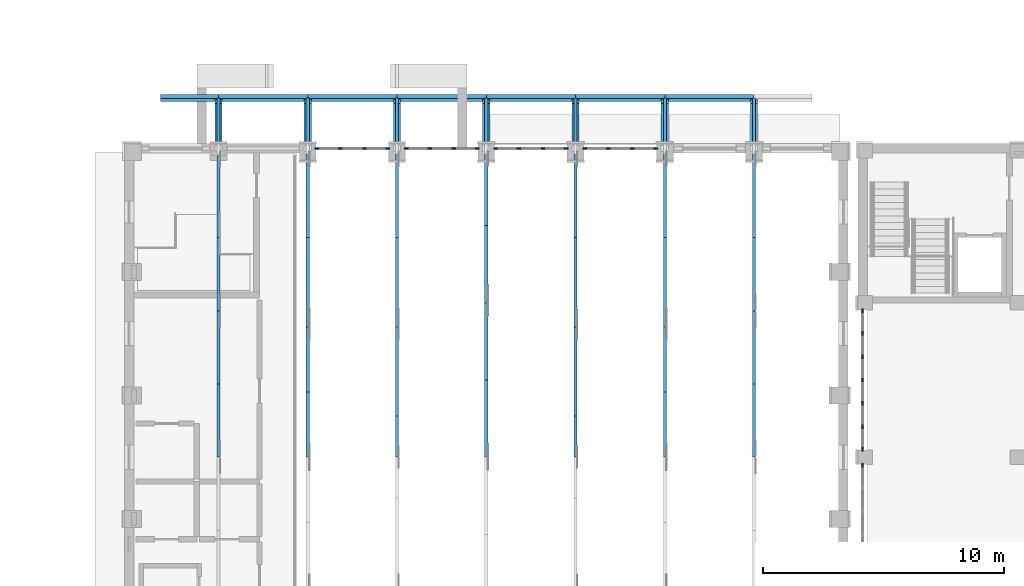
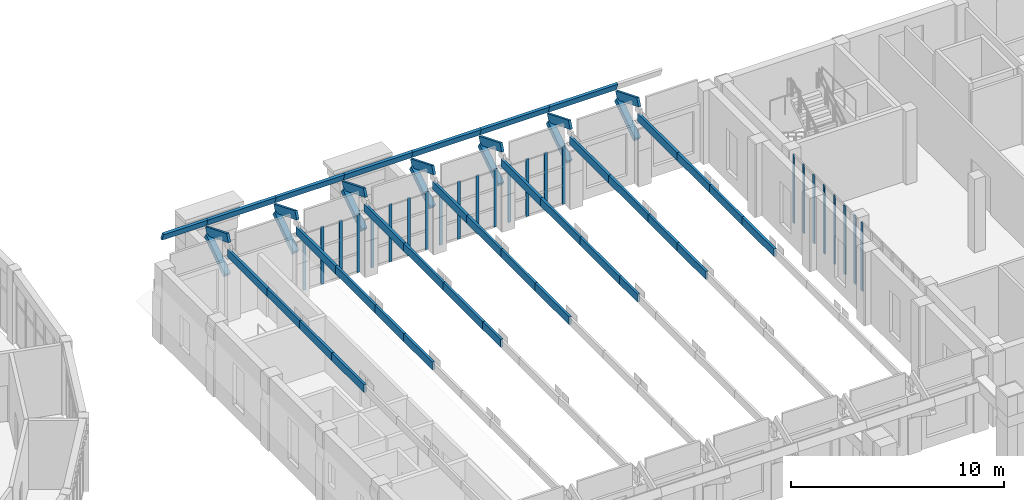
# One storey, part 15 of 99: 73 members, 6 elements without a shape of their own.
"""IFC4 building model written with IfcOpenShell, lengths in metres."""

from ifc_helpers import new_model, si_unit, direction, frame, origin, origin_2d, place, context, subcontext, project, spatial, rectangle, extrude, material, layer, layer_set, material_profile, profile_set, type_object, element, aggregate, save


model = new_model("IFC4")

# Units and contexts
model_context = context("Model", 3, precision=1e-05, world=origin(), true_north=direction((0.0, 1.0)))
body_context = subcontext(model_context, "Body", "Model", "MODEL_VIEW")
ifc_project = project(units=[si_unit("LENGTHUNIT", "METRE"), si_unit("AREAUNIT", "SQUARE_METRE"), si_unit("VOLUMEUNIT", "CUBIC_METRE"), si_unit("PLANEANGLEUNIT", "RADIAN"), si_unit("MASSUNIT", "GRAM", prefix="KILO")], contexts=[model_context])

# Site, building, storey
site_placement = place(None, origin())
site = spatial("IfcSite", under=ifc_project, at=site_placement, CompositionType="ELEMENT")
building_placement = place(site_placement, origin())
building = spatial("IfcBuilding", under=site, at=building_placement, Name="Wasatch Bagh Community Centre", CompositionType="ELEMENT")
storey_placement = place(building_placement, frame((0.0, 0.0, 4.199951171875)))
storey = spatial("IfcBuildingStorey", under=building, at=storey_placement, Name="L01", CompositionType="ELEMENT", Elevation=4.199951171875)

# Members
ifc_material_1 = material(Name="Concrete C35", Category="concrete")
ifc_material_profile_1 = material_profile(ifc_material_1, rectangle(XDim=0.300048828125, YDim=0.300048828125, at=origin_2d()), Name="RC 300x300")
ifc_profile_set_1 = profile_set([ifc_material_profile_1], Name="Concrete C35")
member_type_1 = type_object("IfcMemberType", Name="CH-B1", PredefinedType="MEMBER", material=ifc_profile_set_1)
for number, where, z_axis, x_axis, name in (
    (1, (69.89990234375, 31.949951171875, 2.199951171875), (0.0, 0.830713183923, 0.556700643125), (-1.0, 0.0, 0.0), "CH-B1 eave bracket DH N 69.9"),
    (2, (73.60009765625, 31.949951171875, 2.199951171875), (0.0, 0.830713183923, 0.556700643125), (-1.0, 0.0, 0.0), "CH-B1 eave bracket DH N 73.6"),
    (3, (77.300048828125, 31.949951171875, 2.199951171875), (0.0, 0.830713183923, 0.556700643125), (-1.0, 0.0, 0.0), "CH-B1 eave bracket DH N 77.3"),
    (4, (81.0, 31.949951171875, 2.199951171875), (0.0, 0.830713183923, 0.556700643125), (-1.0, 0.0, 0.0), "CH-B1 eave bracket DH N 81.0"),
    (5, (84.699951171875, 31.949951171875, 2.199951171875), (0.0, 0.830713183923, 0.556700643125), (-1.0, 0.0, 0.0), "CH-B1 eave bracket DH N 84.7"),
    (6, (88.39990234375, 31.949951171875, 2.199951171875), (0.0, 0.830713183923, 0.556700643125), (-1.0, 0.0, 0.0), "CH-B1 eave bracket DH N 88.4"),
    (7, (92.10009765625, 31.949951171875, 2.199951171875), (0.0, 0.830713183923, 0.556700643125), (-1.0, 0.0, 0.0), "CH-B1 eave bracket DH N 92.1"),
):
    element("IfcMember", number, at=place(storey_placement, frame(where, z_axis=z_axis, x_axis=x_axis)), inside=storey, type_object=member_type_1, Name=name, PredefinedType="MEMBER", context=body_context, shape_type="SweptSolid", body=[
        extrude(rectangle(XDim=0.300048828125, YDim=0.300048828125, at=origin_2d()), origin(), (0.0, 0.0, 1.0), 2.1669921875),
    ])
ifc_material_2 = material(Name="Glulam 24F-V4 Douglas fir-larch", Category="wood")
ifc_material_profile_2 = material_profile(ifc_material_2, rectangle(XDim=0.130126953125, YDim=0.457275390625, at=origin_2d()), Name="GL 130x457")
ifc_profile_set_2 = profile_set([ifc_material_profile_2], Name="Glulam 24F-V4 Douglas fir-larch")
member_type_2 = type_object("IfcMemberType", Name="DH GL 130x457 chord", PredefinedType="CHORD", material=ifc_profile_set_2)
member_1_placement = place(storey_placement, frame((69.89990234375, 31.80078125, 4.410400390625), z_axis=(0.0, 0.927166973909, -0.374648371799), x_axis=(-1.0, 0.0, 0.0)))
element("IfcMember", 8, at=member_1_placement, inside=storey, type_object=member_type_2, Name="DH.TH1.TC10", PredefinedType="CHORD", context=body_context, shape_type="SweptSolid", body=[
    extrude(rectangle(XDim=0.130126953125, YDim=0.457275390625, at=origin_2d()), origin(), (0.0, 0.0, 1.0), 2.15625),
])
member_2_placement = place(storey_placement, frame((69.89990234375, 19.0, 3.548583984375), z_axis=(0.0, 1.0, 0.0), x_axis=(-1.0, 0.0, 0.0)))
element("IfcMember", 9, at=member_2_placement, inside=storey, type_object=member_type_2, Name="DH.TH1.BC05", PredefinedType="CHORD", context=body_context, shape_type="SweptSolid", body=[
    extrude(rectangle(XDim=0.130126953125, YDim=0.457275390625, at=origin_2d()), origin(), (0.0, 0.0, 1.0), 3.033447265625),
])
member_3_placement = place(storey_placement, frame((69.89990234375, 22.033447265625, 3.548583984375), z_axis=(0.0, 1.0, 0.0), x_axis=(-1.0, 0.0, 0.0)))
element("IfcMember", 10, at=member_3_placement, inside=storey, type_object=member_type_2, Name="DH.TH1.BC06", PredefinedType="CHORD", context=body_context, shape_type="SweptSolid", body=[
    extrude(rectangle(XDim=0.130126953125, YDim=0.457275390625, at=origin_2d()), origin(), (0.0, 0.0, 1.0), 3.033203125),
])
member_4_placement = place(storey_placement, frame((69.89990234375, 25.066650390625, 3.548583984375), z_axis=(0.0, 1.0, 0.0), x_axis=(-1.0, 0.0, 0.0)))
element("IfcMember", 11, at=member_4_placement, inside=storey, type_object=member_type_2, Name="DH.TH1.BC07", PredefinedType="CHORD", context=body_context, shape_type="SweptSolid", body=[
    extrude(rectangle(XDim=0.130126953125, YDim=0.457275390625, at=origin_2d()), origin(), (0.0, 0.0, 1.0), 3.033447265625),
])
member_5_placement = place(storey_placement, frame((69.89990234375, 28.10009765625, 3.548583984375), z_axis=(0.0, 1.0, 0.0), x_axis=(-1.0, 0.0, 0.0)))
element("IfcMember", 12, at=member_5_placement, inside=storey, type_object=member_type_2, Name="DH.TH1.BC08", PredefinedType="CHORD", context=body_context, shape_type="SweptSolid", body=[
    extrude(rectangle(XDim=0.130126953125, YDim=0.457275390625, at=origin_2d()), origin(), (0.0, 0.0, 1.0), 3.699951171875),
])
member_6_placement = place(storey_placement, frame((73.60009765625, 31.800537109375, 4.410400390625), z_axis=(0.0, 0.927182863269, -0.374609046955), x_axis=(-1.0, 0.0, 0.0)))
element("IfcMember", 13, at=member_6_placement, inside=storey, type_object=member_type_2, Name="DH.TH2.TC10", PredefinedType="CHORD", context=body_context, shape_type="SweptSolid", body=[
    extrude(rectangle(XDim=0.130126953125, YDim=0.457275390625, at=origin_2d()), origin(), (0.0, 0.0, 1.0), 2.156494140625),
])
for number, where, z_axis, x_axis, name in (
    (14, (73.60009765625, 19.0, 3.548583984375), (0.0, 1.0, 0.0), (-1.0, 0.0, 0.0), "DH.TH2.BC05"),
    (15, (73.60009765625, 21.699951171875, 3.548583984375), (0.0, 1.0, 0.0), (-1.0, 0.0, 0.0), "DH.TH2.BC06"),
):
    element("IfcMember", number, at=place(storey_placement, frame(where, z_axis=z_axis, x_axis=x_axis)), inside=storey, type_object=member_type_2, Name=name, PredefinedType="CHORD", context=body_context, shape_type="SweptSolid", body=[
        extrude(rectangle(XDim=0.130126953125, YDim=0.457275390625, at=origin_2d()), origin(), (0.0, 0.0, 1.0), 2.699951171875),
    ])
member_7_placement = place(storey_placement, frame((73.60009765625, 24.39990234375, 3.548583984375), z_axis=(0.0, 1.0, 0.0), x_axis=(-1.0, 0.0, 0.0)))
element("IfcMember", 16, at=member_7_placement, inside=storey, type_object=member_type_2, Name="DH.TH2.BC07", PredefinedType="CHORD", context=body_context, shape_type="SweptSolid", body=[
    extrude(rectangle(XDim=0.130126953125, YDim=0.457275390625, at=origin_2d()), origin(), (0.0, 0.0, 1.0), 3.7001953125),
])
member_8_placement = place(storey_placement, frame((73.60009765625, 28.10009765625, 3.548583984375), z_axis=(0.0, 1.0, 0.0), x_axis=(-1.0, 0.0, 0.0)))
element("IfcMember", 17, at=member_8_placement, inside=storey, type_object=member_type_2, Name="DH.TH2.BC08", PredefinedType="CHORD", context=body_context, shape_type="SweptSolid", body=[
    extrude(rectangle(XDim=0.130126953125, YDim=0.457275390625, at=origin_2d()), origin(), (0.0, 0.0, 1.0), 3.699951171875),
])
member_9_placement = place(storey_placement, frame((77.300048828125, 31.800537109375, 4.410400390625), z_axis=(0.0, 0.927182863269, -0.374609046955), x_axis=(-1.0, 0.0, 0.0)))
element("IfcMember", 18, at=member_9_placement, inside=storey, type_object=member_type_2, Name="DH.TH3.TC10", PredefinedType="CHORD", context=body_context, shape_type="SweptSolid", body=[
    extrude(rectangle(XDim=0.130126953125, YDim=0.457275390625, at=origin_2d()), origin(), (0.0, 0.0, 1.0), 2.156494140625),
])
member_10_placement = place(storey_placement, frame((77.300048828125, 19.0, 3.548583984375), z_axis=(0.0, 1.0, 0.0), x_axis=(-1.0, 0.0, 0.0)))
element("IfcMember", 19, at=member_10_placement, inside=storey, type_object=member_type_2, Name="DH.TH3.BC05", PredefinedType="CHORD", context=body_context, shape_type="SweptSolid", body=[
    extrude(rectangle(XDim=0.130126953125, YDim=0.457275390625, at=origin_2d()), origin(), (0.0, 0.0, 1.0), 1.699951171875),
])
member_11_placement = place(storey_placement, frame((77.300048828125, 20.699951171875, 3.548583984375), z_axis=(0.0, 1.0, 0.0), x_axis=(-1.0, 0.0, 0.0)))
element("IfcMember", 20, at=member_11_placement, inside=storey, type_object=member_type_2, Name="DH.TH3.BC06", PredefinedType="CHORD", context=body_context, shape_type="SweptSolid", body=[
    extrude(rectangle(XDim=0.130126953125, YDim=0.457275390625, at=origin_2d()), origin(), (0.0, 0.0, 1.0), 3.699951171875),
])
member_12_placement = place(storey_placement, frame((77.300048828125, 24.39990234375, 3.548583984375), z_axis=(0.0, 1.0, 0.0), x_axis=(-1.0, 0.0, 0.0)))
element("IfcMember", 21, at=member_12_placement, inside=storey, type_object=member_type_2, Name="DH.TH3.BC07", PredefinedType="CHORD", context=body_context, shape_type="SweptSolid", body=[
    extrude(rectangle(XDim=0.130126953125, YDim=0.457275390625, at=origin_2d()), origin(), (0.0, 0.0, 1.0), 3.7001953125),
])
member_13_placement = place(storey_placement, frame((77.300048828125, 28.10009765625, 3.548583984375), z_axis=(0.0, 1.0, 0.0), x_axis=(-1.0, 0.0, 0.0)))
element("IfcMember", 22, at=member_13_placement, inside=storey, type_object=member_type_2, Name="DH.TH3.BC08", PredefinedType="CHORD", context=body_context, shape_type="SweptSolid", body=[
    extrude(rectangle(XDim=0.130126953125, YDim=0.457275390625, at=origin_2d()), origin(), (0.0, 0.0, 1.0), 3.699951171875),
])
member_14_placement = place(storey_placement, frame((81.0, 31.800537109375, 4.410400390625), z_axis=(0.0, 0.927182863269, -0.374609046955), x_axis=(-1.0, 0.0, 0.0)))
element("IfcMember", 23, at=member_14_placement, inside=storey, type_object=member_type_2, Name="DH.TH4.TC10", PredefinedType="CHORD", context=body_context, shape_type="SweptSolid", body=[
    extrude(rectangle(XDim=0.130126953125, YDim=0.457275390625, at=origin_2d()), origin(), (0.0, 0.0, 1.0), 2.156494140625),
])
for number, where, z_axis, x_axis, name in (
    (24, (81.0, 19.0, 3.548583984375), (0.0, 1.0, 0.0), (-1.0, 0.0, 0.0), "DH.TH4.BC05"),
    (25, (81.0, 22.199951171875, 3.548583984375), (0.0, 1.0, 0.0), (-1.0, 0.0, 0.0), "DH.TH4.BC06"),
):
    element("IfcMember", number, at=place(storey_placement, frame(where, z_axis=z_axis, x_axis=x_axis)), inside=storey, type_object=member_type_2, Name=name, PredefinedType="CHORD", context=body_context, shape_type="SweptSolid", body=[
        extrude(rectangle(XDim=0.130126953125, YDim=0.457275390625, at=origin_2d()), origin(), (0.0, 0.0, 1.0), 3.199951171875),
    ])
member_15_placement = place(storey_placement, frame((81.0, 25.39990234375, 3.548583984375), z_axis=(0.0, 1.0, 0.0), x_axis=(-1.0, 0.0, 0.0)))
element("IfcMember", 26, at=member_15_placement, inside=storey, type_object=member_type_2, Name="DH.TH4.BC07", PredefinedType="CHORD", context=body_context, shape_type="SweptSolid", body=[
    extrude(rectangle(XDim=0.130126953125, YDim=0.457275390625, at=origin_2d()), origin(), (0.0, 0.0, 1.0), 3.2001953125),
])
member_16_placement = place(storey_placement, frame((81.0, 28.60009765625, 3.548583984375), z_axis=(0.0, 1.0, 0.0), x_axis=(-1.0, 0.0, 0.0)))
element("IfcMember", 27, at=member_16_placement, inside=storey, type_object=member_type_2, Name="DH.TH4.BC08", PredefinedType="CHORD", context=body_context, shape_type="SweptSolid", body=[
    extrude(rectangle(XDim=0.130126953125, YDim=0.457275390625, at=origin_2d()), origin(), (0.0, 0.0, 1.0), 3.199951171875),
])
member_17_placement = place(storey_placement, frame((84.699951171875, 31.800537109375, 4.410400390625), z_axis=(0.0, 0.927182863269, -0.374609046955), x_axis=(-1.0, 0.0, 0.0)))
element("IfcMember", 28, at=member_17_placement, inside=storey, type_object=member_type_2, Name="DH.TH5.TC10", PredefinedType="CHORD", context=body_context, shape_type="SweptSolid", body=[
    extrude(rectangle(XDim=0.130126953125, YDim=0.457275390625, at=origin_2d()), origin(), (0.0, 0.0, 1.0), 2.156494140625),
])
member_18_placement = place(storey_placement, frame((84.699951171875, 19.0, 3.548583984375), z_axis=(0.0, 1.0, 0.0), x_axis=(-1.0, 0.0, 0.0)))
element("IfcMember", 29, at=member_18_placement, inside=storey, type_object=member_type_2, Name="DH.TH5.BC05", PredefinedType="CHORD", context=body_context, shape_type="SweptSolid", body=[
    extrude(rectangle(XDim=0.130126953125, YDim=0.457275390625, at=origin_2d()), origin(), (0.0, 0.0, 1.0), 1.699951171875),
])
member_19_placement = place(storey_placement, frame((84.699951171875, 20.699951171875, 3.548583984375), z_axis=(0.0, 1.0, 0.0), x_axis=(-1.0, 0.0, 0.0)))
element("IfcMember", 30, at=member_19_placement, inside=storey, type_object=member_type_2, Name="DH.TH5.BC06", PredefinedType="CHORD", context=body_context, shape_type="SweptSolid", body=[
    extrude(rectangle(XDim=0.130126953125, YDim=0.457275390625, at=origin_2d()), origin(), (0.0, 0.0, 1.0), 3.699951171875),
])
member_20_placement = place(storey_placement, frame((84.699951171875, 24.39990234375, 3.548583984375), z_axis=(0.0, 1.0, 0.0), x_axis=(-1.0, 0.0, 0.0)))
element("IfcMember", 31, at=member_20_placement, inside=storey, type_object=member_type_2, Name="DH.TH5.BC07", PredefinedType="CHORD", context=body_context, shape_type="SweptSolid", body=[
    extrude(rectangle(XDim=0.130126953125, YDim=0.457275390625, at=origin_2d()), origin(), (0.0, 0.0, 1.0), 3.7001953125),
])
member_21_placement = place(storey_placement, frame((84.699951171875, 28.10009765625, 3.548583984375), z_axis=(0.0, 1.0, 0.0), x_axis=(-1.0, 0.0, 0.0)))
element("IfcMember", 32, at=member_21_placement, inside=storey, type_object=member_type_2, Name="DH.TH5.BC08", PredefinedType="CHORD", context=body_context, shape_type="SweptSolid", body=[
    extrude(rectangle(XDim=0.130126953125, YDim=0.457275390625, at=origin_2d()), origin(), (0.0, 0.0, 1.0), 3.699951171875),
])
member_22_placement = place(storey_placement, frame((88.39990234375, 31.800537109375, 4.410400390625), z_axis=(0.0, 0.927182863269, -0.374609046955), x_axis=(-1.0, 0.0, 0.0)))
element("IfcMember", 33, at=member_22_placement, inside=storey, type_object=member_type_2, Name="DH.TH6.TC10", PredefinedType="CHORD", context=body_context, shape_type="SweptSolid", body=[
    extrude(rectangle(XDim=0.130126953125, YDim=0.457275390625, at=origin_2d()), origin(), (0.0, 0.0, 1.0), 2.156494140625),
])
for number, where, z_axis, x_axis, name in (
    (34, (88.39990234375, 19.0, 3.548583984375), (0.0, 1.0, 0.0), (-1.0, 0.0, 0.0), "DH.TH6.BC05"),
    (35, (88.39990234375, 21.699951171875, 3.548583984375), (0.0, 1.0, 0.0), (-1.0, 0.0, 0.0), "DH.TH6.BC06"),
):
    element("IfcMember", number, at=place(storey_placement, frame(where, z_axis=z_axis, x_axis=x_axis)), inside=storey, type_object=member_type_2, Name=name, PredefinedType="CHORD", context=body_context, shape_type="SweptSolid", body=[
        extrude(rectangle(XDim=0.130126953125, YDim=0.457275390625, at=origin_2d()), origin(), (0.0, 0.0, 1.0), 2.699951171875),
    ])
member_23_placement = place(storey_placement, frame((88.39990234375, 24.39990234375, 3.548583984375), z_axis=(0.0, 1.0, 0.0), x_axis=(-1.0, 0.0, 0.0)))
element("IfcMember", 36, at=member_23_placement, inside=storey, type_object=member_type_2, Name="DH.TH6.BC07", PredefinedType="CHORD", context=body_context, shape_type="SweptSolid", body=[
    extrude(rectangle(XDim=0.130126953125, YDim=0.457275390625, at=origin_2d()), origin(), (0.0, 0.0, 1.0), 3.7001953125),
])
member_24_placement = place(storey_placement, frame((88.39990234375, 28.10009765625, 3.548583984375), z_axis=(0.0, 1.0, 0.0), x_axis=(-1.0, 0.0, 0.0)))
element("IfcMember", 37, at=member_24_placement, inside=storey, type_object=member_type_2, Name="DH.TH6.BC08", PredefinedType="CHORD", context=body_context, shape_type="SweptSolid", body=[
    extrude(rectangle(XDim=0.130126953125, YDim=0.457275390625, at=origin_2d()), origin(), (0.0, 0.0, 1.0), 3.699951171875),
])
member_25_placement = place(storey_placement, frame((92.10009765625, 31.80078125, 4.410400390625), z_axis=(0.0, 0.927166973909, -0.374648371799), x_axis=(-1.0, 0.0, 0.0)))
element("IfcMember", 38, at=member_25_placement, inside=storey, type_object=member_type_2, Name="DH.TH7.TC10", PredefinedType="CHORD", context=body_context, shape_type="SweptSolid", body=[
    extrude(rectangle(XDim=0.130126953125, YDim=0.457275390625, at=origin_2d()), origin(), (0.0, 0.0, 1.0), 2.15625),
])
member_26_placement = place(storey_placement, frame((92.10009765625, 19.0, 3.548583984375), z_axis=(0.0, 1.0, 0.0), x_axis=(-1.0, 0.0, 0.0)))
element("IfcMember", 39, at=member_26_placement, inside=storey, type_object=member_type_2, Name="DH.TH7.BC05", PredefinedType="CHORD", context=body_context, shape_type="SweptSolid", body=[
    extrude(rectangle(XDim=0.130126953125, YDim=0.457275390625, at=origin_2d()), origin(), (0.0, 0.0, 1.0), 3.033447265625),
])
member_27_placement = place(storey_placement, frame((92.10009765625, 22.033447265625, 3.548583984375), z_axis=(0.0, 1.0, 0.0), x_axis=(-1.0, 0.0, 0.0)))
element("IfcMember", 40, at=member_27_placement, inside=storey, type_object=member_type_2, Name="DH.TH7.BC06", PredefinedType="CHORD", context=body_context, shape_type="SweptSolid", body=[
    extrude(rectangle(XDim=0.130126953125, YDim=0.457275390625, at=origin_2d()), origin(), (0.0, 0.0, 1.0), 3.033203125),
])
member_28_placement = place(storey_placement, frame((92.10009765625, 25.066650390625, 3.548583984375), z_axis=(0.0, 1.0, 0.0), x_axis=(-1.0, 0.0, 0.0)))
element("IfcMember", 41, at=member_28_placement, inside=storey, type_object=member_type_2, Name="DH.TH7.BC07", PredefinedType="CHORD", context=body_context, shape_type="SweptSolid", body=[
    extrude(rectangle(XDim=0.130126953125, YDim=0.457275390625, at=origin_2d()), origin(), (0.0, 0.0, 1.0), 3.033447265625),
])
member_29_placement = place(storey_placement, frame((92.10009765625, 28.10009765625, 3.548583984375), z_axis=(0.0, 1.0, 0.0), x_axis=(-1.0, 0.0, 0.0)))
element("IfcMember", 42, at=member_29_placement, inside=storey, type_object=member_type_2, Name="DH.TH7.BC08", PredefinedType="CHORD", context=body_context, shape_type="SweptSolid", body=[
    extrude(rectangle(XDim=0.130126953125, YDim=0.457275390625, at=origin_2d()), origin(), (0.0, 0.0, 1.0), 3.699951171875),
])
ifc_material_profile_3 = material_profile(ifc_material_2, rectangle(XDim=0.130126953125, YDim=0.457275390625, at=origin_2d()), Name="GL 130x457")
ifc_profile_set_3 = profile_set([ifc_material_profile_3], Name="Glulam 24F-V4 Douglas fir-larch")
member_type_3 = type_object("IfcMemberType", Name="DH GL 130x457 purlin", PredefinedType="PURLIN", material=ifc_profile_set_3)
member_30_placement = place(storey_placement, frame((67.5, 33.8857421875, 4.06103515625), z_axis=(1.0, 0.0, 0.0), x_axis=(0.0, 0.927183854567, 0.374606593416)))
element("IfcMember", 43, at=member_30_placement, inside=storey, type_object=member_type_3, Name="DH.PUR.N01.1", PredefinedType="PURLIN", context=body_context, shape_type="SweptSolid", body=[
    extrude(rectangle(XDim=0.130126953125, YDim=0.457275390625, at=origin_2d()), origin(), (0.0, 0.0, 1.0), 2.39990234375),
])
member_31_placement = place(storey_placement, frame((69.89990234375, 33.8857421875, 4.06103515625), z_axis=(1.0, 0.0, 0.0), x_axis=(0.0, 0.927183854567, 0.374606593416)))
element("IfcMember", 44, at=member_31_placement, inside=storey, type_object=member_type_3, Name="DH.PUR.N01.2", PredefinedType="PURLIN", context=body_context, shape_type="SweptSolid", body=[
    extrude(rectangle(XDim=0.130126953125, YDim=0.457275390625, at=origin_2d()), origin(), (0.0, 0.0, 1.0), 3.7001953125),
])
for number, where, z_axis, x_axis, name in (
    (45, (73.60009765625, 33.8857421875, 4.06103515625), (1.0, 0.0, 0.0), (0.0, 0.927183854567, 0.374606593416), "DH.PUR.N01.3"),
    (46, (77.300048828125, 33.8857421875, 4.06103515625), (1.0, 0.0, 0.0), (0.0, 0.927183854567, 0.374606593416), "DH.PUR.N01.4"),
    (47, (81.0, 33.8857421875, 4.06103515625), (1.0, 0.0, 0.0), (0.0, 0.927183854567, 0.374606593416), "DH.PUR.N01.5"),
    (48, (84.699951171875, 33.8857421875, 4.06103515625), (1.0, 0.0, 0.0), (0.0, 0.927183854567, 0.374606593416), "DH.PUR.N01.6"),
):
    element("IfcMember", number, at=place(storey_placement, frame(where, z_axis=z_axis, x_axis=x_axis)), inside=storey, type_object=member_type_3, Name=name, PredefinedType="PURLIN", context=body_context, shape_type="SweptSolid", body=[
        extrude(rectangle(XDim=0.130126953125, YDim=0.457275390625, at=origin_2d()), origin(), (0.0, 0.0, 1.0), 3.699951171875),
    ])
member_32_placement = place(storey_placement, frame((88.39990234375, 33.8857421875, 4.06103515625), z_axis=(1.0, 0.0, 0.0), x_axis=(0.0, 0.927183854567, 0.374606593416)))
element("IfcMember", 49, at=member_32_placement, inside=storey, type_object=member_type_3, Name="DH.PUR.N01.7", PredefinedType="PURLIN", context=body_context, shape_type="SweptSolid", body=[
    extrude(rectangle(XDim=0.130126953125, YDim=0.457275390625, at=origin_2d()), origin(), (0.0, 0.0, 1.0), 3.7001953125),
])

# Curtain wall, members
ifc_material_3 = material(Name="Aluminium alloy 6063-T6", Category="aluminium")
ifc_layer_1 = layer(ifc_material_3, 0.10009765625)
ifc_layer_set_1 = layer_set([ifc_layer_1], Name="Aluminium alloy 6063-T6")
curtain_wall_type_1 = type_object("IfcCurtainWallType", Name="DH-CW2", PredefinedType="NOTDEFINED", material=ifc_layer_set_1)
curtain_wall_1_placement = place(storey_placement, origin())
curtain_wall_1 = element("IfcCurtainWall", 50, at=curtain_wall_1_placement, inside=storey, type_object=curtain_wall_type_1, Name="Curtain wall DH-CW2", PredefinedType="NOTDEFINED")
ifc_material_profile_4 = material_profile(ifc_material_3, rectangle(XDim=0.06005859375, YDim=0.159912109375, at=origin_2d()), Name="AL 60x160")
ifc_profile_set_4 = profile_set([ifc_material_profile_4], Name="Aluminium alloy 6063-T6")
member_type_4 = type_object("IfcMemberType", Name="DH-CW2 mullion", PredefinedType="MULLION", material=ifc_profile_set_4)
member_33_placement = place(storey_placement, frame((77.679931640625, 31.800048828125, 0.0), z_axis=(0.0, 0.0, 1.0), x_axis=(0.0, 1.0, 0.0)))
member_33 = element("IfcMember", 51, at=member_33_placement, type_object=member_type_4, Name="DH-CW2 mullion 1", PredefinedType="MULLION", context=body_context, shape_type="SweptSolid", body=[
    extrude(rectangle(XDim=0.06005859375, YDim=0.159912109375, at=origin_2d()), origin(), (0.0, 0.0, 1.0), 3.300048828125),
])
member_34_placement = place(storey_placement, frame((78.64990234375, 31.800048828125, 0.0), z_axis=(0.0, 0.0, 1.0), x_axis=(0.0, 1.0, 0.0)))
member_34 = element("IfcMember", 52, at=member_34_placement, type_object=member_type_4, Name="DH-CW2 mullion 2", PredefinedType="MULLION", context=body_context, shape_type="SweptSolid", body=[
    extrude(rectangle(XDim=0.06005859375, YDim=0.159912109375, at=origin_2d()), origin(), (0.0, 0.0, 1.0), 3.300048828125),
])
member_35_placement = place(storey_placement, frame((79.64990234375, 31.800048828125, 0.0), z_axis=(0.0, 0.0, 1.0), x_axis=(0.0, 1.0, 0.0)))
member_35 = element("IfcMember", 53, at=member_35_placement, type_object=member_type_4, Name="DH-CW2 mullion 3", PredefinedType="MULLION", context=body_context, shape_type="SweptSolid", body=[
    extrude(rectangle(XDim=0.06005859375, YDim=0.159912109375, at=origin_2d()), origin(), (0.0, 0.0, 1.0), 3.300048828125),
])
member_36_placement = place(storey_placement, frame((80.6201171875, 31.800048828125, 0.0), z_axis=(0.0, 0.0, 1.0), x_axis=(0.0, 1.0, 0.0)))
member_36 = element("IfcMember", 54, at=member_36_placement, type_object=member_type_4, Name="DH-CW2 mullion 4", PredefinedType="MULLION", context=body_context, shape_type="SweptSolid", body=[
    extrude(rectangle(XDim=0.06005859375, YDim=0.159912109375, at=origin_2d()), origin(), (0.0, 0.0, 1.0), 3.300048828125),
])
aggregate(curtain_wall_1, [member_33, member_34, member_35, member_36])

curtain_wall_2_placement = place(storey_placement, origin())
curtain_wall_2 = element("IfcCurtainWall", 55, at=curtain_wall_2_placement, inside=storey, type_object=curtain_wall_type_1, Name="Curtain wall DH-CW2", PredefinedType="NOTDEFINED")
member_37_placement = place(storey_placement, frame((81.3798828125, 31.800048828125, 0.0), z_axis=(0.0, 0.0, 1.0), x_axis=(0.0, 1.0, 0.0)))
member_37 = element("IfcMember", 56, at=member_37_placement, type_object=member_type_4, Name="DH-CW2 mullion 1", PredefinedType="MULLION", context=body_context, shape_type="SweptSolid", body=[
    extrude(rectangle(XDim=0.06005859375, YDim=0.159912109375, at=origin_2d()), origin(), (0.0, 0.0, 1.0), 3.300048828125),
])
member_38_placement = place(storey_placement, frame((82.35009765625, 31.800048828125, 0.0), z_axis=(0.0, 0.0, 1.0), x_axis=(0.0, 1.0, 0.0)))
member_38 = element("IfcMember", 57, at=member_38_placement, type_object=member_type_4, Name="DH-CW2 mullion 2", PredefinedType="MULLION", context=body_context, shape_type="SweptSolid", body=[
    extrude(rectangle(XDim=0.06005859375, YDim=0.159912109375, at=origin_2d()), origin(), (0.0, 0.0, 1.0), 3.300048828125),
])
member_39_placement = place(storey_placement, frame((83.35009765625, 31.800048828125, 0.0), z_axis=(0.0, 0.0, 1.0), x_axis=(0.0, 1.0, 0.0)))
member_39 = element("IfcMember", 58, at=member_39_placement, type_object=member_type_4, Name="DH-CW2 mullion 3", PredefinedType="MULLION", context=body_context, shape_type="SweptSolid", body=[
    extrude(rectangle(XDim=0.06005859375, YDim=0.159912109375, at=origin_2d()), origin(), (0.0, 0.0, 1.0), 3.300048828125),
])
member_40_placement = place(storey_placement, frame((84.320068359375, 31.800048828125, 0.0), z_axis=(0.0, 0.0, 1.0), x_axis=(0.0, 1.0, 0.0)))
member_40 = element("IfcMember", 59, at=member_40_placement, type_object=member_type_4, Name="DH-CW2 mullion 4", PredefinedType="MULLION", context=body_context, shape_type="SweptSolid", body=[
    extrude(rectangle(XDim=0.06005859375, YDim=0.159912109375, at=origin_2d()), origin(), (0.0, 0.0, 1.0), 3.300048828125),
])
aggregate(curtain_wall_2, [member_37, member_38, member_39, member_40])

ifc_layer_2 = layer(ifc_material_3, 0.10009765625)
ifc_layer_set_2 = layer_set([ifc_layer_2], Name="Aluminium alloy 6063-T6")
curtain_wall_type_2 = type_object("IfcCurtainWallType", Name="DH-CW3", PredefinedType="NOTDEFINED", material=ifc_layer_set_2)
curtain_wall_3_placement = place(storey_placement, origin())
curtain_wall_3 = element("IfcCurtainWall", 60, at=curtain_wall_3_placement, inside=storey, type_object=curtain_wall_type_2, Name="Curtain wall DH-CW3", PredefinedType="NOTDEFINED")
ifc_material_profile_5 = material_profile(ifc_material_3, rectangle(XDim=0.06005859375, YDim=0.159912109375, at=origin_2d()), Name="AL 60x160")
ifc_profile_set_5 = profile_set([ifc_material_profile_5], Name="Aluminium alloy 6063-T6")
member_type_5 = type_object("IfcMemberType", Name="DH-CW3 mullion", PredefinedType="MULLION", material=ifc_profile_set_5)
member_41_placement = place(storey_placement, frame((73.97998046875, 31.800048828125, 0.0), z_axis=(0.0, 0.0, 1.0), x_axis=(0.0, 1.0, 0.0)))
member_41 = element("IfcMember", 61, at=member_41_placement, type_object=member_type_5, Name="DH-CW3 mullion 1", PredefinedType="MULLION", context=body_context, shape_type="SweptSolid", body=[
    extrude(rectangle(XDim=0.06005859375, YDim=0.159912109375, at=origin_2d()), origin(), (0.0, 0.0, 1.0), 3.300048828125),
])
member_42_placement = place(storey_placement, frame((74.949951171875, 31.800048828125, 0.0), z_axis=(0.0, 0.0, 1.0), x_axis=(0.0, 1.0, 0.0)))
member_42 = element("IfcMember", 62, at=member_42_placement, type_object=member_type_5, Name="DH-CW3 mullion 2", PredefinedType="MULLION", context=body_context, shape_type="SweptSolid", body=[
    extrude(rectangle(XDim=0.06005859375, YDim=0.159912109375, at=origin_2d()), origin(), (0.0, 0.0, 1.0), 3.300048828125),
])
member_43_placement = place(storey_placement, frame((75.949951171875, 31.800048828125, 0.0), z_axis=(0.0, 0.0, 1.0), x_axis=(0.0, 1.0, 0.0)))
member_43 = element("IfcMember", 63, at=member_43_placement, type_object=member_type_5, Name="DH-CW3 mullion 3", PredefinedType="MULLION", context=body_context, shape_type="SweptSolid", body=[
    extrude(rectangle(XDim=0.06005859375, YDim=0.159912109375, at=origin_2d()), origin(), (0.0, 0.0, 1.0), 3.300048828125),
])
member_44_placement = place(storey_placement, frame((76.919921875, 31.800048828125, 0.0), z_axis=(0.0, 0.0, 1.0), x_axis=(0.0, 1.0, 0.0)))
member_44 = element("IfcMember", 64, at=member_44_placement, type_object=member_type_5, Name="DH-CW3 mullion 4", PredefinedType="MULLION", context=body_context, shape_type="SweptSolid", body=[
    extrude(rectangle(XDim=0.06005859375, YDim=0.159912109375, at=origin_2d()), origin(), (0.0, 0.0, 1.0), 3.300048828125),
])
aggregate(curtain_wall_3, [member_41, member_42, member_43, member_44])

curtain_wall_4_placement = place(storey_placement, origin())
curtain_wall_4 = element("IfcCurtainWall", 65, at=curtain_wall_4_placement, inside=storey, type_object=curtain_wall_type_2, Name="Curtain wall DH-CW3", PredefinedType="NOTDEFINED")
member_45_placement = place(storey_placement, frame((85.080078125, 31.800048828125, 0.0), z_axis=(0.0, 0.0, 1.0), x_axis=(0.0, 1.0, 0.0)))
member_45 = element("IfcMember", 66, at=member_45_placement, type_object=member_type_5, Name="DH-CW3 mullion 1", PredefinedType="MULLION", context=body_context, shape_type="SweptSolid", body=[
    extrude(rectangle(XDim=0.06005859375, YDim=0.159912109375, at=origin_2d()), origin(), (0.0, 0.0, 1.0), 3.300048828125),
])
member_46_placement = place(storey_placement, frame((86.050048828125, 31.800048828125, 0.0), z_axis=(0.0, 0.0, 1.0), x_axis=(0.0, 1.0, 0.0)))
member_46 = element("IfcMember", 67, at=member_46_placement, type_object=member_type_5, Name="DH-CW3 mullion 2", PredefinedType="MULLION", context=body_context, shape_type="SweptSolid", body=[
    extrude(rectangle(XDim=0.06005859375, YDim=0.159912109375, at=origin_2d()), origin(), (0.0, 0.0, 1.0), 3.300048828125),
])
member_47_placement = place(storey_placement, frame((87.050048828125, 31.800048828125, 0.0), z_axis=(0.0, 0.0, 1.0), x_axis=(0.0, 1.0, 0.0)))
member_47 = element("IfcMember", 68, at=member_47_placement, type_object=member_type_5, Name="DH-CW3 mullion 3", PredefinedType="MULLION", context=body_context, shape_type="SweptSolid", body=[
    extrude(rectangle(XDim=0.06005859375, YDim=0.159912109375, at=origin_2d()), origin(), (0.0, 0.0, 1.0), 3.300048828125),
])
member_48_placement = place(storey_placement, frame((88.02001953125, 31.800048828125, 0.0), z_axis=(0.0, 0.0, 1.0), x_axis=(0.0, 1.0, 0.0)))
member_48 = element("IfcMember", 69, at=member_48_placement, type_object=member_type_5, Name="DH-CW3 mullion 4", PredefinedType="MULLION", context=body_context, shape_type="SweptSolid", body=[
    extrude(rectangle(XDim=0.06005859375, YDim=0.159912109375, at=origin_2d()), origin(), (0.0, 0.0, 1.0), 3.300048828125),
])
aggregate(curtain_wall_4, [member_45, member_46, member_47, member_48])

# Curtain wall, member
ifc_layer_3 = layer(ifc_material_3, 0.10009765625)
ifc_layer_set_3 = layer_set([ifc_layer_3], Name="Aluminium alloy 6063-T6")
curtain_wall_type_3 = type_object("IfcCurtainWallType", Name="KW-CW1", PredefinedType="NOTDEFINED", material=ifc_layer_set_3)
curtain_wall_5_placement = place(storey_placement, origin())
curtain_wall_5 = element("IfcCurtainWall", 70, at=curtain_wall_5_placement, inside=storey, type_object=curtain_wall_type_3, Name="Curtain wall KW-CW1", PredefinedType="NOTDEFINED")
ifc_material_profile_6 = material_profile(ifc_material_3, rectangle(XDim=0.06005859375, YDim=0.159912109375, at=origin_2d()), Name="AL 60x160")
ifc_profile_set_6 = profile_set([ifc_material_profile_6], Name="Aluminium alloy 6063-T6")
member_type_6 = type_object("IfcMemberType", Name="KW-CW1 mullion", PredefinedType="MULLION", material=ifc_profile_set_6)
member_49_placement = place(storey_placement, frame((96.60009765625, 18.669921875, 0.0), z_axis=(0.0, 0.0, 1.0), x_axis=(-1.0, 0.0, 0.0)))
member_49 = element("IfcMember", 71, at=member_49_placement, type_object=member_type_6, Name="KW-CW1 mullion 7", PredefinedType="MULLION", context=body_context, shape_type="SweptSolid", body=[
    extrude(rectangle(XDim=0.06005859375, YDim=0.159912109375, at=origin_2d()), origin(), (0.0, 0.0, 1.0), 3.920166015625),
])
aggregate(curtain_wall_5, [member_49])

# Curtain wall, members
curtain_wall_6_placement = place(storey_placement, origin())
curtain_wall_6 = element("IfcCurtainWall", 72, at=curtain_wall_6_placement, inside=storey, type_object=curtain_wall_type_3, Name="Curtain wall KW-CW1", PredefinedType="NOTDEFINED")
member_50_placement = place(storey_placement, frame((96.60009765625, 19.330078125, 0.0), z_axis=(0.0, 0.0, 1.0), x_axis=(-1.0, 0.0, 0.0)))
member_50 = element("IfcMember", 73, at=member_50_placement, type_object=member_type_6, Name="KW-CW1 mullion 1", PredefinedType="MULLION", context=body_context, shape_type="SweptSolid", body=[
    extrude(rectangle(XDim=0.06005859375, YDim=0.159912109375, at=origin_2d()), origin(), (0.0, 0.0, 1.0), 3.920166015625),
])
member_51_placement = place(storey_placement, frame((96.60009765625, 20.2666015625, 0.0), z_axis=(0.0, 0.0, 1.0), x_axis=(-1.0, 0.0, 0.0)))
member_51 = element("IfcMember", 74, at=member_51_placement, type_object=member_type_6, Name="KW-CW1 mullion 2", PredefinedType="MULLION", context=body_context, shape_type="SweptSolid", body=[
    extrude(rectangle(XDim=0.06005859375, YDim=0.159912109375, at=origin_2d()), origin(), (0.0, 0.0, 1.0), 3.920166015625),
])
member_52_placement = place(storey_placement, frame((96.60009765625, 21.2333984375, 0.0), z_axis=(0.0, 0.0, 1.0), x_axis=(-1.0, 0.0, 0.0)))
member_52 = element("IfcMember", 75, at=member_52_placement, type_object=member_type_6, Name="KW-CW1 mullion 3", PredefinedType="MULLION", context=body_context, shape_type="SweptSolid", body=[
    extrude(rectangle(XDim=0.06005859375, YDim=0.159912109375, at=origin_2d()), origin(), (0.0, 0.0, 1.0), 3.920166015625),
])
member_53_placement = place(storey_placement, frame((96.60009765625, 22.199951171875, 0.0), z_axis=(0.0, 0.0, 1.0), x_axis=(-1.0, 0.0, 0.0)))
member_53 = element("IfcMember", 76, at=member_53_placement, type_object=member_type_6, Name="KW-CW1 mullion 4", PredefinedType="MULLION", context=body_context, shape_type="SweptSolid", body=[
    extrude(rectangle(XDim=0.06005859375, YDim=0.159912109375, at=origin_2d()), origin(), (0.0, 0.0, 1.0), 3.920166015625),
])
member_54_placement = place(storey_placement, frame((96.60009765625, 23.166748046875, 0.0), z_axis=(0.0, 0.0, 1.0), x_axis=(-1.0, 0.0, 0.0)))
member_54 = element("IfcMember", 77, at=member_54_placement, type_object=member_type_6, Name="KW-CW1 mullion 5", PredefinedType="MULLION", context=body_context, shape_type="SweptSolid", body=[
    extrude(rectangle(XDim=0.06005859375, YDim=0.159912109375, at=origin_2d()), origin(), (0.0, 0.0, 1.0), 3.920166015625),
])
member_55_placement = place(storey_placement, frame((96.60009765625, 24.13330078125, 0.0), z_axis=(0.0, 0.0, 1.0), x_axis=(-1.0, 0.0, 0.0)))
member_55 = element("IfcMember", 78, at=member_55_placement, type_object=member_type_6, Name="KW-CW1 mullion 6", PredefinedType="MULLION", context=body_context, shape_type="SweptSolid", body=[
    extrude(rectangle(XDim=0.06005859375, YDim=0.159912109375, at=origin_2d()), origin(), (0.0, 0.0, 1.0), 3.920166015625),
])
member_56_placement = place(storey_placement, frame((96.60009765625, 25.070068359375, 0.0), z_axis=(0.0, 0.0, 1.0), x_axis=(-1.0, 0.0, 0.0)))
member_56 = element("IfcMember", 79, at=member_56_placement, type_object=member_type_6, Name="KW-CW1 mullion 7", PredefinedType="MULLION", context=body_context, shape_type="SweptSolid", body=[
    extrude(rectangle(XDim=0.06005859375, YDim=0.159912109375, at=origin_2d()), origin(), (0.0, 0.0, 1.0), 3.920166015625),
])
aggregate(curtain_wall_6, [member_50, member_51, member_52, member_53, member_54, member_55, member_56])

save(model, "model.ifc")
